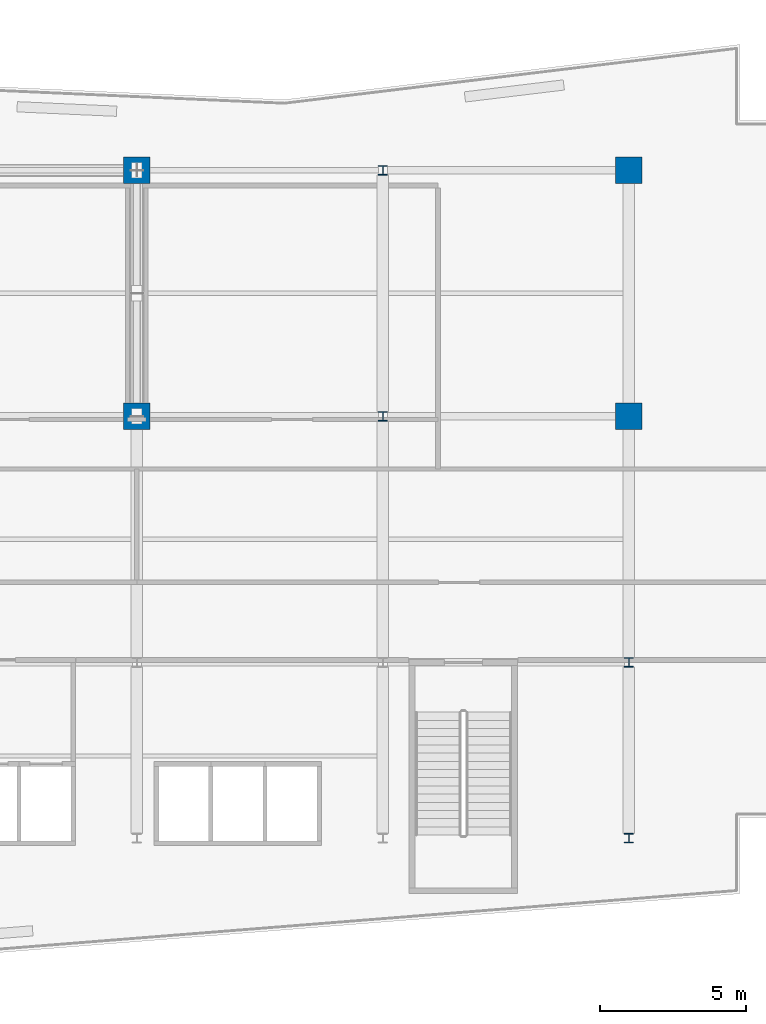
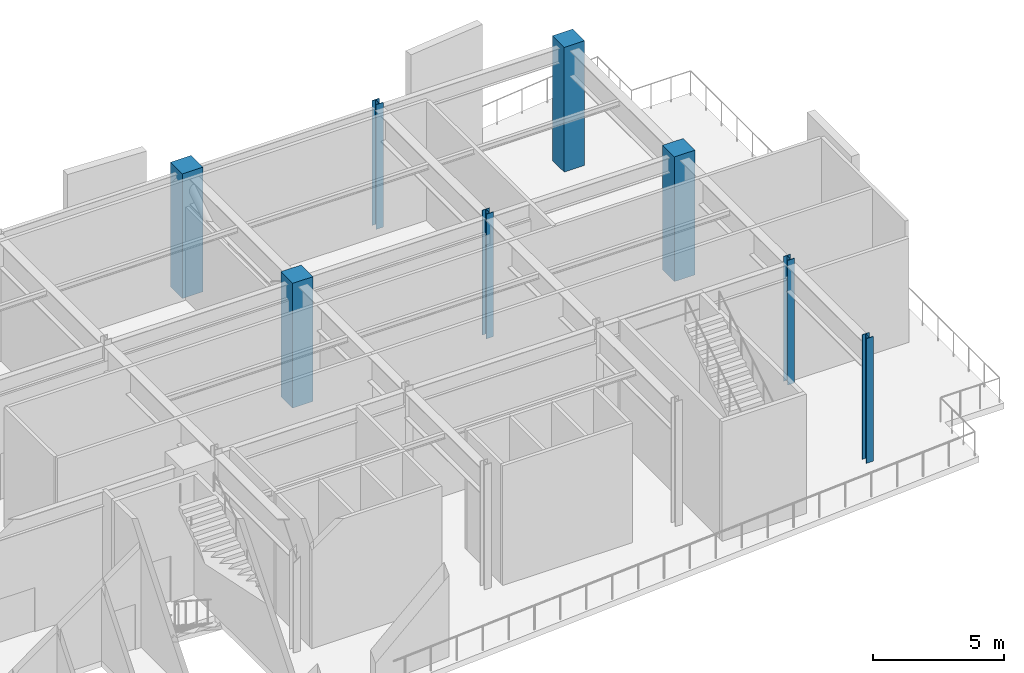
# One storey, part 2 of 14: 8 columns.
"""IFC4 building model written with IfcOpenShell, lengths in metres."""

from ifc_helpers import new_model, si_unit, direction, frame, origin, origin_2d, place, context, subcontext, project, spatial, rectangle, i_section, extrude, material, material_profile, profile_set, type_object, element, save


model = new_model("IFC4")

# Units and contexts
model_context = context("Model", 3, precision=1e-05, world=origin(), true_north=direction((0.0, 1.0)))
body_context = subcontext(model_context, "Body", "Model", "MODEL_VIEW")
ifc_project = project(units=[si_unit("LENGTHUNIT", "METRE"), si_unit("AREAUNIT", "SQUARE_METRE"), si_unit("VOLUMEUNIT", "CUBIC_METRE"), si_unit("PLANEANGLEUNIT", "RADIAN"), si_unit("MASSUNIT", "GRAM", prefix="KILO")], contexts=[model_context])

# Site, building, storey
site_placement = place(None, origin())
site = spatial("IfcSite", under=ifc_project, at=site_placement, CompositionType="ELEMENT")
building_placement = place(site_placement, origin())
building = spatial("IfcBuilding", under=site, at=building_placement, Name="Varnakote Quay Hospital", CompositionType="ELEMENT")
storey_placement = place(building_placement, frame((0.0, 0.0, 97.550048828125)))
storey = spatial("IfcBuildingStorey", under=building, at=storey_placement, Name="L24", CompositionType="ELEMENT", Elevation=97.550048828125)

# Columns
ifc_material_1 = material(Name="Concrete N50 (f'c 50 MPa)", Category="concrete")
ifc_material_profile_1 = material_profile(ifc_material_1, rectangle(XDim=0.89990234375, YDim=0.89990234375, at=origin_2d()), Name="RC-COL-900x900")
ifc_profile_set_1 = profile_set([ifc_material_profile_1], Name="Concrete N50 (f'c 50 MPa)")
column_type_1 = type_object("IfcColumnType", Name="COL-RC-900", PredefinedType="COLUMN", material=ifc_profile_set_1)
for number, where, z_axis, x_axis, name in (
    (1, (33.60009765625, 20.39990234375, 0.0), (0.0, 0.0, 1.0), (1.0, 0.0, 0.0), "L24 Structural Column C-34-20"),
    (2, (50.39990234375, 20.39990234375, 0.0), (0.0, 0.0, 1.0), (1.0, 0.0, 0.0), "L24 Structural Column C-50-20"),
    (3, (33.60009765625, 28.800048828125, 0.0), (0.0, 0.0, 1.0), (1.0, 0.0, 0.0), "L24 Structural Column C-34-29"),
    (4, (50.39990234375, 28.800048828125, 0.0), (0.0, 0.0, 1.0), (1.0, 0.0, 0.0), "L24 Structural Column C-50-29"),
):
    element("IfcColumn", number, at=place(storey_placement, frame(where, z_axis=z_axis, x_axis=x_axis)), inside=storey, type_object=column_type_1, Name=name, PredefinedType="COLUMN", context=body_context, shape_type="SweptSolid", body=[
        extrude(rectangle(XDim=0.89990234375, YDim=0.89990234375, at=origin_2d()), origin(), (0.0, 0.0, 1.0), 5.800048828125),
    ])
ifc_material_2 = material(Name="Structural steel AS/NZS 3679.1 Grade 350 L0 (fy 340 MPa)", Category="steel")
ifc_material_profile_2 = material_profile(ifc_material_2, i_section(OverallWidth=0.31103515625, OverallDepth=0.326904296875, WebThickness=0.015625, FlangeThickness=0.02490234375, FilletRadius=0.0166015625, at=origin_2d()), Name="310UC158")
ifc_profile_set_2 = profile_set([ifc_material_profile_2], Name="Structural steel AS/NZS 3679.1 Grade 350 L0 (fy 340 MPa)")
column_type_2 = type_object("IfcColumnType", Name="COL-STL-310UC158", PredefinedType="COLUMN", material=ifc_profile_set_2)
for number, where, z_axis, x_axis, name in (
    (5, (50.39990234375, 6.0, 0.0), (0.0, 0.0, 1.0), (1.0, 0.0, 0.0), "L24 Structural Column C-50-6"),
    (6, (50.39990234375, 12.0, 0.0), (0.0, 0.0, 1.0), (1.0, 0.0, 0.0), "L24 Structural Column C-50-12"),
    (7, (42.0, 20.39990234375, 0.0), (0.0, 0.0, 1.0), (1.0, 0.0, 0.0), "L24 Structural Column C-42-20"),
    (8, (42.0, 28.800048828125, 0.0), (0.0, 0.0, 1.0), (1.0, 0.0, 0.0), "L24 Structural Column C-42-29"),
):
    element("IfcColumn", number, at=place(storey_placement, frame(where, z_axis=z_axis, x_axis=x_axis)), inside=storey, type_object=column_type_2, Name=name, PredefinedType="COLUMN", context=body_context, shape_type="SweptSolid", body=[
        extrude(i_section(OverallWidth=0.31103515625, OverallDepth=0.326904296875, WebThickness=0.015625, FlangeThickness=0.02490234375, FilletRadius=0.0166015625, at=origin_2d()), origin(), (0.0, 0.0, 1.0), 5.800048828125),
    ])

save(model, "model.ifc")
